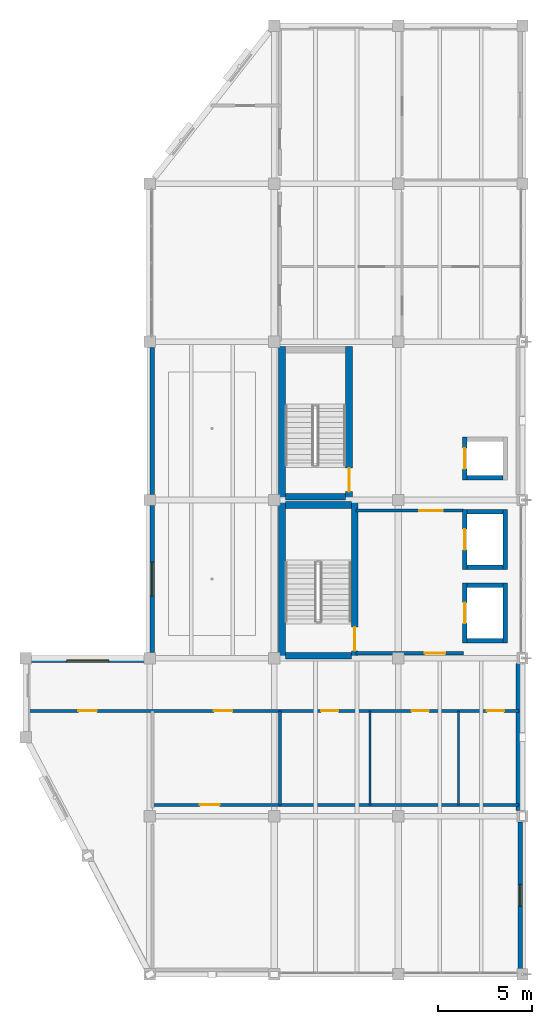
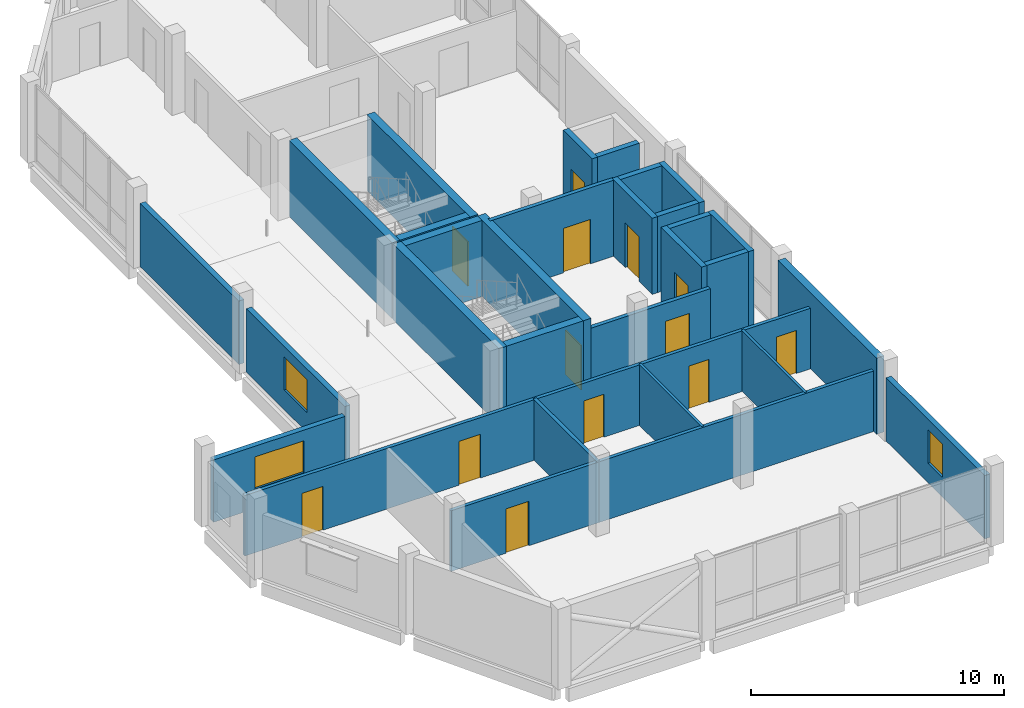
# One storey, part 6 of 12: 31 walls, 13 doors, 3 windows, 16 openings.
"""IFC4 building model written with IfcOpenShell, lengths in metres."""

from ifc_helpers import new_model, si_unit, direction, frame, frame_2d, origin, place, context, subcontext, project, spatial, rectangle, extrude, material, layer, layer_set, type_object, element, fill, save


model = new_model("IFC4")

# Units and contexts
model_context = context("Model", 3, precision=1e-05, world=origin(), true_north=direction((0.0, 1.0)))
body_context = subcontext(model_context, "Body", "Model", "MODEL_VIEW")
ifc_project = project(units=[si_unit("LENGTHUNIT", "METRE"), si_unit("AREAUNIT", "SQUARE_METRE"), si_unit("VOLUMEUNIT", "CUBIC_METRE"), si_unit("PLANEANGLEUNIT", "RADIAN"), si_unit("MASSUNIT", "GRAM", prefix="KILO")], contexts=[model_context])

# Site, building, storey
site_placement = place(None, origin())
site = spatial("IfcSite", under=ifc_project, at=site_placement, CompositionType="ELEMENT")
building_placement = place(site_placement, origin())
building = spatial("IfcBuilding", under=site, at=building_placement, Name="Qaldarim Faculty of Natural and Applied Sciences", CompositionType="ELEMENT")
storey_placement = place(building_placement, frame((0.0, 0.0, 35.39990234375)))
storey = spatial("IfcBuildingStorey", under=building, at=storey_placement, Name="L08", CompositionType="ELEMENT", Elevation=35.39990234375)

# Walls
ifc_material_1 = material(Name="Painted gypsum partition board")
ifc_layer_1 = layer(ifc_material_1, 0.1201171875)
ifc_layer_set_1 = layer_set([ifc_layer_1], Name="Painted gypsum partition board")
wall_type_1 = type_object("IfcWallType", Name="AcousticPartition-120", PredefinedType="PARTITIONING", material=ifc_layer_set_1)
for number, where, z_axis, x_axis, name in (
    (1, (170.10009765625, 9.0, 0.0), (0.0, 0.0, 1.0), (0.0, 1.0, 0.0), "Interior partition PRT-L08-V5-WCD1"),
    (2, (174.800048828125, 9.0, 0.0), (0.0, 0.0, 1.0), (0.0, 1.0, 0.0), "Interior partition PRT-L08-V5-WCD2"),
):
    element("IfcWall", number, at=place(storey_placement, frame(where, z_axis=z_axis, x_axis=x_axis)), inside=storey, type_object=wall_type_1, Name=name, PredefinedType="PARTITIONING", context=body_context, shape_type="SweptSolid", body=[
        extrude(rectangle(XDim=5.0, YDim=0.1201171875, at=frame_2d((2.5, 0.0))), origin(), (0.0, 0.0, 1.0), 2.93017578125),
    ])
ifc_material_2 = material(Name="Concrete C50/60", Category="concrete")
ifc_layer_2 = layer(ifc_material_2, 0.360107421875)
ifc_layer_set_2 = layer_set([ifc_layer_2], Name="Concrete C50/60")
wall_type_2 = type_object("IfcWallType", Name="CoreShearWall-360", PredefinedType="SHEAR", material=ifc_layer_set_2)
wall_1_placement = place(storey_placement, frame((165.419921875, 16.739990234375, 0.0), z_axis=(0.0, 0.0, 1.0), x_axis=(0.0, 1.0, 0.0)))
element("IfcWall", 3, at=wall_1_placement, inside=storey, type_object=wall_type_2, Name="Core stair ST-A1 west shear wall L08", PredefinedType="SHEAR", context=body_context, shape_type="SweptSolid", body=[
    extrude(rectangle(XDim=8.3701171875, YDim=0.360107421875, at=frame_2d((4.18505859375, 0.0))), origin(), (0.0, 0.0, 1.0), 3.68017578125),
])

# Wall, opening, door
wall_2_placement = place(storey_placement, frame((169.280029296875, 16.739990234375, 0.0), z_axis=(0.0, 0.0, 1.0), x_axis=(0.0, 1.0, 0.0)))
wall_2 = element("IfcWall", 4, at=wall_2_placement, inside=storey, type_object=wall_type_2, Name="Core stair ST-A1 east shear wall L08", PredefinedType="SHEAR", context=body_context, shape_type="SweptSolid", body=[
    extrude(rectangle(XDim=8.3701171875, YDim=0.360107421875, at=frame_2d((4.18505859375, 0.0))), origin(), (0.0, 0.0, 1.0), 3.68017578125),
])
opening_1_placement = place(wall_2_placement, frame((0.449951171875, 0.0, 0.0)))
opening_1 = element("IfcOpeningElement", 5, at=opening_1_placement, cuts=wall_2, Name="Opening ID04", PredefinedType="OPENING", context=body_context, shape_type="SweptSolid", body=[
    extrude(rectangle(XDim=1.25, YDim=2.14990234375, at=frame_2d((0.625, 1.074951171875))), frame((0.0, 0.18994140625, 0.0), z_axis=(0.0, -1.0, 0.0), x_axis=(1.0, 0.0, 0.0)), (0.0, 0.0, 1.0), 0.380126953125),
])
ifc_material_3 = material(Name="Architectural stainless steel 316", Category="steel")
door_type_1 = type_object("IfcDoorType", Name="StairEnclosureFireDoor-1250x2150", OperationType="NOTDEFINED", PredefinedType="DOOR", material=ifc_material_3)
door_1_placement = place(opening_1_placement, origin())
door_1 = element("IfcDoor", 6, at=door_1_placement, inside=storey, type_object=door_type_1, Name="Protected stair ST-A1 fire door D-L08-510", OperationType="SINGLE_SWING_RIGHT", OverallHeight=2.14990234375, OverallWidth=1.25, PredefinedType="DOOR", context=body_context, shape_type="SweptSolid", body=[
    extrude(rectangle(XDim=1.25, YDim=2.14990234375, at=frame_2d((0.625, 1.074951171875))), frame((0.0, 0.02490234375, 0.0), z_axis=(0.0, -1.0, 0.0), x_axis=(1.0, 0.0, 0.0)), (0.0, 0.0, 1.0), 0.050048828125),
])
fill(opening_1, door_1)

# Walls
for number, where, z_axis, x_axis, name in (
    (7, (165.60009765625, 24.929931640625, 0.0), (0.0, 0.0, 1.0), (1.0, 0.0, 0.0), "Core stair ST-A1 north shear wall L08"),
    (8, (165.60009765625, 16.919921875, 0.0), (0.0, 0.0, 1.0), (1.0, 0.0, 0.0), "Core stair ST-A1 south shear wall L08"),
):
    element("IfcWall", number, at=place(storey_placement, frame(where, z_axis=z_axis, x_axis=x_axis)), inside=storey, type_object=wall_type_2, Name=name, PredefinedType="SHEAR", context=body_context, shape_type="SweptSolid", body=[
        extrude(rectangle(XDim=3.5, YDim=0.360107421875, at=frame_2d((1.75, 0.0))), origin(), (0.0, 0.0, 1.0), 3.68017578125),
    ])
wall_3_placement = place(storey_placement, frame((165.419921875, 25.18994140625, 0.0), z_axis=(0.0, 0.0, 1.0), x_axis=(0.0, 1.0, 0.0)))
element("IfcWall", 9, at=wall_3_placement, inside=storey, type_object=wall_type_2, Name="Core stair ST-A2 west shear wall L08", PredefinedType="SHEAR", context=body_context, shape_type="SweptSolid", body=[
    extrude(rectangle(XDim=8.170166015625, YDim=0.360107421875, at=frame_2d((4.0849609375, 0.0))), origin(), (0.0, 0.0, 1.0), 3.68017578125),
])

# Wall, opening, door
wall_4_placement = place(storey_placement, frame((168.97998046875, 25.18994140625, 0.0), z_axis=(0.0, 0.0, 1.0), x_axis=(0.0, 1.0, 0.0)))
wall_4 = element("IfcWall", 10, at=wall_4_placement, inside=storey, type_object=wall_type_2, Name="Core stair ST-A2 east shear wall L08", PredefinedType="SHEAR", context=body_context, shape_type="SweptSolid", body=[
    extrude(rectangle(XDim=8.170166015625, YDim=0.360107421875, at=frame_2d((4.0849609375, 0.0))), origin(), (0.0, 0.0, 1.0), 3.68017578125),
])
opening_2_placement = place(wall_4_placement, frame((0.449951171875, 0.0, 0.0)))
opening_2 = element("IfcOpeningElement", 11, at=opening_2_placement, cuts=wall_4, Name="Opening ID04", PredefinedType="OPENING", context=body_context, shape_type="SweptSolid", body=[
    extrude(rectangle(XDim=1.25, YDim=2.14990234375, at=frame_2d((0.625, 1.074951171875))), frame((0.0, 0.18994140625, 0.0), z_axis=(0.0, -1.0, 0.0), x_axis=(1.0, 0.0, 0.0)), (0.0, 0.0, 1.0), 0.380126953125),
])
door_2_placement = place(opening_2_placement, origin())
door_2 = element("IfcDoor", 12, at=door_2_placement, inside=storey, type_object=door_type_1, Name="Protected stair ST-A2 fire door D-L08-522", OperationType="SINGLE_SWING_RIGHT", OverallHeight=2.14990234375, OverallWidth=1.25, PredefinedType="DOOR", context=body_context, shape_type="SweptSolid", body=[
    extrude(rectangle(XDim=1.25, YDim=2.14990234375, at=frame_2d((0.625, 1.074951171875))), frame((0.0, 0.02490234375, 0.0), z_axis=(0.0, -1.0, 0.0), x_axis=(1.0, 0.0, 0.0)), (0.0, 0.0, 1.0), 0.050048828125),
])
fill(opening_2, door_2)

# Wall
wall_5_placement = place(storey_placement, frame((165.60009765625, 25.3701171875, 0.0), z_axis=(0.0, 0.0, 1.0), x_axis=(1.0, 0.0, 0.0)))
element("IfcWall", 13, at=wall_5_placement, inside=storey, type_object=wall_type_2, Name="Core stair ST-A2 south shear wall L08", PredefinedType="SHEAR", context=body_context, shape_type="SweptSolid", body=[
    extrude(rectangle(XDim=3.199951171875, YDim=0.360107421875, at=frame_2d((1.60009765625, 0.0))), origin(), (0.0, 0.0, 1.0), 3.68017578125),
])

# Wall, opening, window
ifc_material_4 = material(Name="Precast concrete C40/50", Category="concrete")
ifc_layer_3 = layer(ifc_material_4, 0.239990234375)
ifc_layer_set_3 = layer_set([ifc_layer_3], Name="Precast concrete C40/50")
wall_type_3 = type_object("IfcWallType", Name="ExteriorInsulatedWall-240", PredefinedType="SOLIDWALL", material=ifc_layer_set_3)
wall_6_placement = place(storey_placement, frame((158.10498046875, 16.679931640625, 0.0), z_axis=(0.0, 0.0, 1.0), x_axis=(-1.0, 0.0, 0.0)))
wall_6 = element("IfcWall", 14, at=wall_6_placement, inside=storey, type_object=wall_type_3, Name="Exterior wall EW03 L08 N X24Y02", PredefinedType="SOLIDWALL", context=body_context, shape_type="SweptSolid", body=[
    extrude(rectangle(XDim=6.010009765625, YDim=0.239990234375, at=frame_2d((3.0048828125, 0.0))), origin(), (0.0, 0.0, 1.0), 3.01513671875),
])
opening_3_placement = place(wall_6_placement, frame((1.8798828125, 0.0, 0.949951171875)))
opening_3 = element("IfcOpeningElement", 15, at=opening_3_placement, cuts=wall_6, Name="Opening WN12", PredefinedType="OPENING", context=body_context, shape_type="SweptSolid", body=[
    extrude(rectangle(XDim=2.25, YDim=1.550048828125, at=frame_2d((1.125, 0.77490234375))), frame((0.0, 0.1298828125, 0.0), z_axis=(0.0, -1.0, 0.0), x_axis=(1.0, 0.0, 0.0)), (0.0, 0.0, 1.0), 0.260009765625),
])
ifc_material_5 = material(Name="Insulated low-e double glazing", Category="glass")
window_type_1 = type_object("IfcWindowType", Name="LabWindow-2250x1550", PartitioningType="TRIPLE_PANEL_VERTICAL", PredefinedType="WINDOW", material=ifc_material_5)
window_1_placement = place(opening_3_placement, origin())
window_1 = element("IfcWindow", 16, at=window_1_placement, inside=storey, type_object=window_type_1, Name="Facade window WN12 L08 N X24Y02", OverallHeight=1.550048828125, OverallWidth=2.25, PartitioningType="SINGLE_PANEL", PredefinedType="WINDOW", context=body_context, shape_type="SweptSolid", body=[
    extrude(rectangle(XDim=2.25, YDim=1.550048828125, at=frame_2d((1.125, 0.77490234375))), frame((0.0, 0.030029296875, 0.0), z_axis=(0.0, -1.0, 0.0), x_axis=(1.0, 0.0, 0.0)), (0.0, 0.0, 1.0), 0.06005859375),
])
fill(opening_3, window_1)

wall_7_placement = place(storey_placement, frame((158.52001953125, 24.905029296875, 0.0), z_axis=(0.0, 0.0, 1.0), x_axis=(0.0, -1.0, 0.0)))
wall_7 = element("IfcWall", 17, at=wall_7_placement, inside=storey, type_object=wall_type_3, Name="Exterior wall EW03 L08 W X25Y03", PredefinedType="SOLIDWALL", context=body_context, shape_type="SweptSolid", body=[
    extrude(rectangle(XDim=7.81005859375, YDim=0.239990234375, at=frame_2d((3.905029296875, 0.0))), origin(), (0.0, 0.0, 1.0), 3.065185546875),
])
opening_4_placement = place(wall_7_placement, frame((3.0048828125, 0.0, 0.949951171875)))
opening_4 = element("IfcOpeningElement", 18, at=opening_4_placement, cuts=wall_7, Name="Opening WN02", PredefinedType="OPENING", context=body_context, shape_type="SweptSolid", body=[
    extrude(rectangle(XDim=1.800048828125, YDim=1.60009765625, at=frame_2d((0.89990234375, 0.800048828125))), frame((0.0, 0.1298828125, 0.0), z_axis=(0.0, -1.0, 0.0), x_axis=(1.0, 0.0, 0.0)), (0.0, 0.0, 1.0), 0.260009765625),
])
window_type_2 = type_object("IfcWindowType", Name="Window-1800x1600", PartitioningType="DOUBLE_PANEL_VERTICAL", PredefinedType="WINDOW", material=ifc_material_5)
window_2_placement = place(opening_4_placement, origin())
window_2 = element("IfcWindow", 19, at=window_2_placement, inside=storey, type_object=window_type_2, Name="Facade window WN02 L08 W X25Y03", OverallHeight=1.60009765625, OverallWidth=1.800048828125, PartitioningType="SINGLE_PANEL", PredefinedType="WINDOW", context=body_context, shape_type="SweptSolid", body=[
    extrude(rectangle(XDim=1.800048828125, YDim=1.60009765625, at=frame_2d((0.89990234375, 0.800048828125))), frame((0.0, 0.030029296875, 0.0), z_axis=(0.0, -1.0, 0.0), x_axis=(1.0, 0.0, 0.0)), (0.0, 0.0, 1.0), 0.06005859375),
])
fill(opening_4, window_2)

# Wall
wall_8_placement = place(storey_placement, frame((158.52001953125, 33.304931640625, 0.0), z_axis=(0.0, 0.0, 1.0), x_axis=(0.0, -1.0, 0.0)))
element("IfcWall", 20, at=wall_8_placement, inside=storey, type_object=wall_type_3, Name="Exterior wall EW03 L08 W X25Y04", PredefinedType="SOLIDWALL", context=body_context, shape_type="SweptSolid", body=[
    extrude(rectangle(XDim=7.809814453125, YDim=0.239990234375, at=frame_2d((3.90478515625, 0.0))), origin(), (0.0, 0.0, 1.0), 3.065185546875),
])

# Wall, opening, window
wall_9_placement = place(storey_placement, frame((178.080078125, 0.294921875, 0.0), z_axis=(0.0, 0.0, 1.0), x_axis=(0.0, 1.0, 0.0)))
wall_9 = element("IfcWall", 21, at=wall_9_placement, inside=storey, type_object=wall_type_3, Name="Exterior wall EW03 L08 E X27Y01", PredefinedType="SOLIDWALL", context=body_context, shape_type="SweptSolid", body=[
    extrude(rectangle(XDim=7.81005859375, YDim=0.239990234375, at=frame_2d((3.905029296875, 0.0))), origin(), (0.0, 0.0, 1.0), 3.065185546875),
])
opening_5_placement = place(wall_9_placement, frame((3.330078125, 0.0, 0.949951171875)))
opening_5 = element("IfcOpeningElement", 22, at=opening_5_placement, cuts=wall_9, Name="Opening WN31", PredefinedType="OPENING", context=body_context, shape_type="SweptSolid", body=[
    extrude(rectangle(XDim=1.14990234375, YDim=1.60009765625, at=frame_2d((0.574951171875, 0.800048828125))), frame((0.0, 0.1298828125, 0.0), z_axis=(0.0, -1.0, 0.0), x_axis=(1.0, 0.0, 0.0)), (0.0, 0.0, 1.0), 0.260009765625),
])
window_type_3 = type_object("IfcWindowType", Name="SeminarWindow-1150x1600", PartitioningType="SINGLE_PANEL", PredefinedType="WINDOW", material=ifc_material_5)
window_3_placement = place(opening_5_placement, origin())
window_3 = element("IfcWindow", 23, at=window_3_placement, inside=storey, type_object=window_type_3, Name="Facade window WN31 L08 E X27Y01", OverallHeight=1.60009765625, OverallWidth=1.14990234375, PartitioningType="SINGLE_PANEL", PredefinedType="WINDOW", context=body_context, shape_type="SweptSolid", body=[
    extrude(rectangle(XDim=1.14990234375, YDim=1.60009765625, at=frame_2d((0.574951171875, 0.800048828125))), frame((0.0, 0.030029296875, 0.0), z_axis=(0.0, -1.0, 0.0), x_axis=(1.0, 0.0, 0.0)), (0.0, 0.0, 1.0), 0.06005859375),
])
fill(opening_5, window_3)

# Wall
ifc_layer_4 = layer(ifc_material_2, 0.340087890625)
ifc_layer_set_4 = layer_set([ifc_layer_4], Name="Concrete C50/60")
wall_type_4 = type_object("IfcWallType", Name="ExteriorStairShearWall-340", PredefinedType="SHEAR", material=ifc_layer_set_4)
wall_10_placement = place(storey_placement, frame((178.030029296875, 8.695068359375, 0.0), z_axis=(0.0, 0.0, 1.0), x_axis=(0.0, 1.0, 0.0)))
element("IfcWall", 24, at=wall_10_placement, inside=storey, type_object=wall_type_4, Name="Exterior wall EW05 L08 E X27Y02", PredefinedType="SHEAR", context=body_context, shape_type="SweptSolid", body=[
    extrude(rectangle(XDim=7.809814453125, YDim=0.340087890625, at=frame_2d((3.90478515625, 0.0))), origin(), (0.0, 0.0, 1.0), 3.68017578125),
])

# Wall, openings, doors
ifc_material_6 = material(Name="Concrete C40/50", Category="concrete")
ifc_layer_5 = layer(ifc_material_6, 0.159912109375)
ifc_layer_set_5 = layer_set([ifc_layer_5], Name="Concrete C40/50")
wall_type_5 = type_object("IfcWallType", Name="FireCorridorWall-160", PredefinedType="PARTITIONING", material=ifc_layer_set_5)
wall_11_placement = place(storey_placement, frame((165.300048828125, 14.0, 0.0), z_axis=(0.0, 0.0, 1.0), x_axis=(1.0, 0.0, 0.0)))
wall_11 = element("IfcWall", 25, at=wall_11_placement, inside=storey, type_object=wall_type_5, Name="Interior partition PRT-L08-V5-WCN", PredefinedType="PARTITIONING", context=body_context, shape_type="SweptSolid", body=[
    extrude(rectangle(XDim=12.699951171875, YDim=0.159912109375, at=frame_2d((6.35009765625, 0.0))), origin(), (0.0, 0.0, 1.0), 2.93017578125),
])
opening_6_placement = place(wall_11_placement, frame((2.199951171875, 0.0, 0.0)))
opening_6 = element("IfcOpeningElement", 26, at=opening_6_placement, cuts=wall_11, Name="Opening ID14", PredefinedType="OPENING", context=body_context, shape_type="SweptSolid", body=[
    extrude(rectangle(XDim=0.919921875, YDim=2.080078125, at=frame_2d((0.4599609375, 1.0400390625))), frame((0.0, 0.08984375, 0.0), z_axis=(0.0, -1.0, 0.0), x_axis=(1.0, 0.0, 0.0)), (0.0, 0.0, 1.0), 0.179931640625),
])
opening_7_placement = place(wall_11_placement, frame((7.0, 0.0, 0.0)))
opening_7 = element("IfcOpeningElement", 27, at=opening_7_placement, cuts=wall_11, Name="Opening ID14", PredefinedType="OPENING", context=body_context, shape_type="SweptSolid", body=[
    extrude(rectangle(XDim=0.919921875, YDim=2.080078125, at=frame_2d((0.4599609375, 1.0400390625))), frame((0.0, 0.08984375, 0.0), z_axis=(0.0, -1.0, 0.0), x_axis=(1.0, 0.0, 0.0)), (0.0, 0.0, 1.0), 0.179931640625),
])
opening_8_placement = place(wall_11_placement, frame((11.0, 0.0, 0.0)))
opening_8 = element("IfcOpeningElement", 28, at=opening_8_placement, cuts=wall_11, Name="Opening ID14", PredefinedType="OPENING", context=body_context, shape_type="SweptSolid", body=[
    extrude(rectangle(XDim=0.919921875, YDim=2.080078125, at=frame_2d((0.4599609375, 1.0400390625))), frame((0.0, 0.08984375, 0.0), z_axis=(0.0, -1.0, 0.0), x_axis=(1.0, 0.0, 0.0)), (0.0, 0.0, 1.0), 0.179931640625),
])
ifc_material_7 = material(Name="Oak hardwood", Category="wood")
door_type_2 = type_object("IfcDoorType", Name="WashroomDoor-920x2080", OperationType="NOTDEFINED", PredefinedType="DOOR", material=ifc_material_7)
door_3_placement = place(opening_6_placement, origin())
door_3 = element("IfcDoor", 29, at=door_3_placement, inside=storey, type_object=door_type_2, Name="Interior door D-L08-128", OperationType="SINGLE_SWING_LEFT", OverallHeight=2.080078125, OverallWidth=0.919921875, PredefinedType="DOOR", context=body_context, shape_type="SweptSolid", body=[
    extrude(rectangle(XDim=0.919921875, YDim=2.080078125, at=frame_2d((0.4599609375, 1.0400390625))), frame((0.0, 0.02490234375, 0.0), z_axis=(0.0, -1.0, 0.0), x_axis=(1.0, 0.0, 0.0)), (0.0, 0.0, 1.0), 0.050048828125),
])
fill(opening_6, door_3)
door_4_placement = place(opening_7_placement, origin())
door_4 = element("IfcDoor", 30, at=door_4_placement, inside=storey, type_object=door_type_2, Name="Interior door D-L08-129", OperationType="SINGLE_SWING_RIGHT", OverallHeight=2.080078125, OverallWidth=0.919921875, PredefinedType="DOOR", context=body_context, shape_type="SweptSolid", body=[
    extrude(rectangle(XDim=0.919921875, YDim=2.080078125, at=frame_2d((0.4599609375, 1.0400390625))), frame((0.0, 0.02490234375, 0.0), z_axis=(0.0, -1.0, 0.0), x_axis=(1.0, 0.0, 0.0)), (0.0, 0.0, 1.0), 0.050048828125),
])
fill(opening_7, door_4)
door_5_placement = place(opening_8_placement, origin())
door_5 = element("IfcDoor", 31, at=door_5_placement, inside=storey, type_object=door_type_2, Name="Interior door D-L08-130", OperationType="SINGLE_SWING_LEFT", OverallHeight=2.080078125, OverallWidth=0.919921875, PredefinedType="DOOR", context=body_context, shape_type="SweptSolid", body=[
    extrude(rectangle(XDim=0.919921875, YDim=2.080078125, at=frame_2d((0.4599609375, 1.0400390625))), frame((0.0, 0.02490234375, 0.0), z_axis=(0.0, -1.0, 0.0), x_axis=(1.0, 0.0, 0.0)), (0.0, 0.0, 1.0), 0.050048828125),
])
fill(opening_8, door_5)

# Walls
wall_12_placement = place(storey_placement, frame((165.300048828125, 9.0, 0.0), z_axis=(0.0, 0.0, 1.0), x_axis=(1.0, 0.0, 0.0)))
element("IfcWall", 32, at=wall_12_placement, inside=storey, type_object=wall_type_5, Name="Interior partition PRT-L08-V5-WCS", PredefinedType="PARTITIONING", context=body_context, shape_type="SweptSolid", body=[
    extrude(rectangle(XDim=12.699951171875, YDim=0.159912109375, at=frame_2d((6.35009765625, 0.0))), origin(), (0.0, 0.0, 1.0), 2.93017578125),
])
wall_13_placement = place(storey_placement, frame((165.300048828125, 9.0, 0.0), z_axis=(0.0, 0.0, 1.0), x_axis=(0.0, 1.0, 0.0)))
element("IfcWall", 33, at=wall_13_placement, inside=storey, type_object=wall_type_5, Name="Interior partition PRT-L08-V5-WCW", PredefinedType="PARTITIONING", context=body_context, shape_type="SweptSolid", body=[
    extrude(rectangle(XDim=5.0, YDim=0.159912109375, at=frame_2d((2.5, 0.0))), origin(), (0.0, 0.0, 1.0), 2.93017578125),
])

# Wall, opening, door
wall_14_placement = place(storey_placement, frame((158.550048828125, 9.0, 0.0), z_axis=(0.0, 0.0, 1.0), x_axis=(1.0, 0.0, 0.0)))
wall_14 = element("IfcWall", 34, at=wall_14_placement, inside=storey, type_object=wall_type_5, Name="Interior partition PRT-L08-U-SW", PredefinedType="PARTITIONING", context=body_context, shape_type="SweptSolid", body=[
    extrude(rectangle(XDim=6.75, YDim=0.159912109375, at=frame_2d((3.375, 0.0))), origin(), (0.0, 0.0, 1.0), 2.93017578125),
])
opening_9_placement = place(wall_14_placement, frame((2.5, 0.0, 0.0)))
opening_9 = element("IfcOpeningElement", 35, at=opening_9_placement, cuts=wall_14, Name="Opening ID02", PredefinedType="OPENING", context=body_context, shape_type="SweptSolid", body=[
    extrude(rectangle(XDim=1.050048828125, YDim=2.14990234375, at=frame_2d((0.52490234375, 1.074951171875))), frame((0.0, 0.08984375, 0.0), z_axis=(0.0, -1.0, 0.0), x_axis=(1.0, 0.0, 0.0)), (0.0, 0.0, 1.0), 0.179931640625),
])
door_type_3 = type_object("IfcDoorType", Name="AccessibleRoomDoor-1050x2150", OperationType="NOTDEFINED", PredefinedType="DOOR", material=ifc_material_7)
door_6_placement = place(opening_9_placement, origin())
door_6 = element("IfcDoor", 36, at=door_6_placement, inside=storey, type_object=door_type_3, Name="Interior door D-L08-275", OperationType="SINGLE_SWING_LEFT", OverallHeight=2.14990234375, OverallWidth=1.050048828125, PredefinedType="DOOR", context=body_context, shape_type="SweptSolid", body=[
    extrude(rectangle(XDim=1.050048828125, YDim=2.14990234375, at=frame_2d((0.52490234375, 1.074951171875))), frame((0.0, 0.02490234375, 0.0), z_axis=(0.0, -1.0, 0.0), x_axis=(1.0, 0.0, 0.0)), (0.0, 0.0, 1.0), 0.050048828125),
])
fill(opening_9, door_6)

# Wall, openings, doors
wall_15_placement = place(storey_placement, frame((152.0, 14.0, 0.0), z_axis=(0.0, 0.0, 1.0), x_axis=(1.0, 0.0, 0.0)))
wall_15 = element("IfcWall", 37, at=wall_15_placement, inside=storey, type_object=wall_type_5, Name="Interior partition PRT-L08-V5-MIDN", PredefinedType="PARTITIONING", context=body_context, shape_type="SweptSolid", body=[
    extrude(rectangle(XDim=13.300048828125, YDim=0.159912109375, at=frame_2d((6.64990234375, 0.0))), origin(), (0.0, 0.0, 1.0), 2.93017578125),
])
opening_10_placement = place(wall_15_placement, frame((2.60009765625, 0.0, 0.0)))
opening_10 = element("IfcOpeningElement", 38, at=opening_10_placement, cuts=wall_15, Name="Opening ID15", PredefinedType="OPENING", context=body_context, shape_type="SweptSolid", body=[
    extrude(rectangle(XDim=0.97998046875, YDim=2.1201171875, at=frame_2d((0.489990234375, 1.06005859375))), frame((0.0, 0.08984375, 0.0), z_axis=(0.0, -1.0, 0.0), x_axis=(1.0, 0.0, 0.0)), (0.0, 0.0, 1.0), 0.179931640625),
])
opening_11_placement = place(wall_15_placement, frame((9.800048828125, 0.0, 0.0)))
opening_11 = element("IfcOpeningElement", 39, at=opening_11_placement, cuts=wall_15, Name="Opening ID15", PredefinedType="OPENING", context=body_context, shape_type="SweptSolid", body=[
    extrude(rectangle(XDim=0.97998046875, YDim=2.1201171875, at=frame_2d((0.489990234375, 1.06005859375))), frame((0.0, 0.08984375, 0.0), z_axis=(0.0, -1.0, 0.0), x_axis=(1.0, 0.0, 0.0)), (0.0, 0.0, 1.0), 0.179931640625),
])
door_type_4 = type_object("IfcDoorType", Name="PrepRoomDoor-980x2120", OperationType="NOTDEFINED", PredefinedType="DOOR", material=ifc_material_7)
door_7_placement = place(opening_10_placement, origin())
door_7 = element("IfcDoor", 40, at=door_7_placement, inside=storey, type_object=door_type_4, Name="Interior door D-L08-421", OperationType="SINGLE_SWING_LEFT", OverallHeight=2.1201171875, OverallWidth=0.97998046875, PredefinedType="DOOR", context=body_context, shape_type="SweptSolid", body=[
    extrude(rectangle(XDim=0.97998046875, YDim=2.1201171875, at=frame_2d((0.489990234375, 1.06005859375))), frame((0.0, 0.02490234375, 0.0), z_axis=(0.0, -1.0, 0.0), x_axis=(1.0, 0.0, 0.0)), (0.0, 0.0, 1.0), 0.050048828125),
])
fill(opening_10, door_7)
door_8_placement = place(opening_11_placement, origin())
door_8 = element("IfcDoor", 41, at=door_8_placement, inside=storey, type_object=door_type_4, Name="Interior door D-L08-422", OperationType="SINGLE_SWING_RIGHT", OverallHeight=2.1201171875, OverallWidth=0.97998046875, PredefinedType="DOOR", context=body_context, shape_type="SweptSolid", body=[
    extrude(rectangle(XDim=0.97998046875, YDim=2.1201171875, at=frame_2d((0.489990234375, 1.06005859375))), frame((0.0, 0.02490234375, 0.0), z_axis=(0.0, -1.0, 0.0), x_axis=(1.0, 0.0, 0.0)), (0.0, 0.0, 1.0), 0.050048828125),
])
fill(opening_11, door_8)

# Wall, opening, door
ifc_layer_6 = layer(ifc_material_6, 0.179931640625)
ifc_layer_set_6 = layer_set([ifc_layer_6], Name="Concrete C40/50")
wall_type_6 = type_object("IfcWallType", Name="LabFireCompartmentWall-180", PredefinedType="SOLIDWALL", material=ifc_layer_set_6)
wall_16_placement = place(storey_placement, frame((169.35009765625, 24.639892578125, 0.0), z_axis=(0.0, 0.0, 1.0), x_axis=(1.0, 0.0, 0.0)))
wall_16 = element("IfcWall", 42, at=wall_16_placement, inside=storey, type_object=wall_type_6, Name="Fire-fighting lobby compartment wall Core A L08", PredefinedType="SOLIDWALL", context=body_context, shape_type="SweptSolid", body=[
    extrude(rectangle(XDim=5.699951171875, YDim=0.179931640625, at=frame_2d((2.85009765625, 0.0))), origin(), (0.0, 0.0, 1.0), 3.68017578125),
])
opening_12_placement = place(wall_16_placement, frame((3.35009765625, 0.0, 0.0)))
opening_12 = element("IfcOpeningElement", 43, at=opening_12_placement, cuts=wall_16, Name="Opening ID04", PredefinedType="OPENING", context=body_context, shape_type="SweptSolid", body=[
    extrude(rectangle(XDim=1.25, YDim=2.14990234375, at=frame_2d((0.625, 1.074951171875))), frame((0.0, 0.099853515625, 0.0), z_axis=(0.0, -1.0, 0.0), x_axis=(1.0, 0.0, 0.0)), (0.0, 0.0, 1.0), 0.199951171875),
])
door_9_placement = place(opening_12_placement, frame((1.25, 0.0, 0.0), z_axis=(0.0, 0.0, 1.0), x_axis=(-1.0, 0.0, 0.0)))
door_9 = element("IfcDoor", 44, at=door_9_placement, inside=storey, type_object=door_type_1, Name="Fire-fighting lobby door Core A D-L08-614", OperationType="SINGLE_SWING_RIGHT", OverallHeight=2.14990234375, OverallWidth=1.25, PredefinedType="DOOR", context=body_context, shape_type="SweptSolid", body=[
    extrude(rectangle(XDim=1.25, YDim=2.14990234375, at=frame_2d((0.625, 1.074951171875))), frame((0.0, 0.02490234375, 0.0), z_axis=(0.0, -1.0, 0.0), x_axis=(1.0, 0.0, 0.0)), (0.0, 0.0, 1.0), 0.050048828125),
])
fill(opening_12, door_9)

wall_17_placement = place(storey_placement, frame((169.35009765625, 17.06005859375, 0.0), z_axis=(0.0, 0.0, 1.0), x_axis=(1.0, 0.0, 0.0)))
wall_17 = element("IfcWall", 45, at=wall_17_placement, inside=storey, type_object=wall_type_6, Name="Fire-fighting lobby south wall Core A L08", PredefinedType="SOLIDWALL", context=body_context, shape_type="SweptSolid", body=[
    extrude(rectangle(XDim=5.699951171875, YDim=0.179931640625, at=frame_2d((2.85009765625, 0.0))), origin(), (0.0, 0.0, 1.0), 3.01513671875),
])
opening_13_placement = place(wall_17_placement, frame((3.64990234375, 0.0, 0.0)))
opening_13 = element("IfcOpeningElement", 46, at=opening_13_placement, cuts=wall_17, Name="Opening ID03", PredefinedType="OPENING", context=body_context, shape_type="SweptSolid", body=[
    extrude(rectangle(XDim=1.10009765625, YDim=2.14990234375, at=frame_2d((0.550048828125, 1.074951171875))), frame((0.0, 0.099853515625, 0.0), z_axis=(0.0, -1.0, 0.0), x_axis=(1.0, 0.0, 0.0)), (0.0, 0.0, 1.0), 0.199951171875),
])
door_type_5 = type_object("IfcDoorType", Name="FireLobbyDoor-1100x2150", OperationType="NOTDEFINED", PredefinedType="DOOR", material=ifc_material_7)
door_10_placement = place(opening_13_placement, origin())
door_10 = element("IfcDoor", 47, at=door_10_placement, inside=storey, type_object=door_type_5, Name="Fire-fighting lobby corridor door Core A D-L08-615", OperationType="SINGLE_SWING_LEFT", OverallHeight=2.14990234375, OverallWidth=1.10009765625, PredefinedType="DOOR", context=body_context, shape_type="SweptSolid", body=[
    extrude(rectangle(XDim=1.10009765625, YDim=2.14990234375, at=frame_2d((0.550048828125, 1.074951171875))), frame((0.0, 0.02490234375, 0.0), z_axis=(0.0, -1.0, 0.0), x_axis=(1.0, 0.0, 0.0)), (0.0, 0.0, 1.0), 0.050048828125),
])
fill(opening_13, door_10)

ifc_layer_7 = layer(ifc_material_6, 0.25)
ifc_layer_set_7 = layer_set([ifc_layer_7], Name="Concrete C40/50")
wall_type_7 = type_object("IfcWallType", Name="LiftShaftWall-250", PredefinedType="SHEAR", material=ifc_layer_set_7)
wall_18_placement = place(storey_placement, frame((175.125, 17.60009765625, 0.0), z_axis=(0.0, 0.0, 1.0), x_axis=(0.0, 1.0, 0.0)))
wall_18 = element("IfcWall", 48, at=wall_18_placement, inside=storey, type_object=wall_type_7, Name="Lift LF-A1 front shaft wall L08", PredefinedType="SHEAR", context=body_context, shape_type="SweptSolid", body=[
    extrude(rectangle(XDim=3.199951171875, YDim=0.25, at=frame_2d((1.60009765625, 0.0))), origin(), (0.0, 0.0, 1.0), 3.68017578125),
])
opening_14_placement = place(wall_18_placement, frame((1.050048828125, 0.0, 0.0)))
opening_14 = element("IfcOpeningElement", 49, at=opening_14_placement, cuts=wall_18, Name="Opening LD01", PredefinedType="OPENING", context=body_context, shape_type="SweptSolid", body=[
    extrude(rectangle(XDim=1.10009765625, YDim=2.14990234375, at=frame_2d((0.550048828125, 1.074951171875))), frame((0.0, 0.135009765625, 0.0), z_axis=(0.0, -1.0, 0.0), x_axis=(1.0, 0.0, 0.0)), (0.0, 0.0, 1.0), 0.27001953125),
])
door_type_6 = type_object("IfcDoorType", Name="LiftLandingSlidingDoor-1100x2150", OperationType="NOTDEFINED", PredefinedType="DOOR", material=ifc_material_3)
door_11_placement = place(opening_14_placement, origin())
door_11 = element("IfcDoor", 50, at=door_11_placement, inside=storey, type_object=door_type_6, Name="Lift landing sliding door LF-A1 D-L08-566", OperationType="SLIDING_TO_LEFT", OverallHeight=2.14990234375, OverallWidth=1.10009765625, PredefinedType="DOOR", context=body_context, shape_type="SweptSolid", body=[
    extrude(rectangle(XDim=1.10009765625, YDim=2.14990234375, at=frame_2d((0.550048828125, 1.074951171875))), frame((0.0, 0.02490234375, 0.0), z_axis=(0.0, -1.0, 0.0), x_axis=(1.0, 0.0, 0.0)), (0.0, 0.0, 1.0), 0.050048828125),
])
fill(opening_14, door_11)

# Walls
wall_19_placement = place(storey_placement, frame((177.27490234375, 17.60009765625, 0.0), z_axis=(0.0, 0.0, 1.0), x_axis=(0.0, 1.0, 0.0)))
element("IfcWall", 51, at=wall_19_placement, inside=storey, type_object=wall_type_7, Name="Lift LF-A1 rear shaft wall L08", PredefinedType="SHEAR", context=body_context, shape_type="SweptSolid", body=[
    extrude(rectangle(XDim=3.199951171875, YDim=0.25, at=frame_2d((1.60009765625, 0.0))), origin(), (0.0, 0.0, 1.0), 3.68017578125),
])
for number, where, z_axis, x_axis, name in (
    (52, (175.25, 17.72509765625, 0.0), (0.0, 0.0, 1.0), (1.0, 0.0, 0.0), "Lift LF-A1 south shaft wall L08"),
    (53, (175.25, 20.675048828125, 0.0), (0.0, 0.0, 1.0), (1.0, 0.0, 0.0), "Lift LF-A1 north shaft wall L08"),
):
    element("IfcWall", number, at=place(storey_placement, frame(where, z_axis=z_axis, x_axis=x_axis)), inside=storey, type_object=wall_type_7, Name=name, PredefinedType="SHEAR", context=body_context, shape_type="SweptSolid", body=[
        extrude(rectangle(XDim=1.89990234375, YDim=0.25, at=frame_2d((0.949951171875, 0.0))), origin(), (0.0, 0.0, 1.0), 3.68017578125),
    ])

# Wall, opening, door
wall_20_placement = place(storey_placement, frame((175.125, 21.5, 0.0), z_axis=(0.0, 0.0, 1.0), x_axis=(0.0, 1.0, 0.0)))
wall_20 = element("IfcWall", 54, at=wall_20_placement, inside=storey, type_object=wall_type_7, Name="Lift LF-A2 front shaft wall L08", PredefinedType="SHEAR", context=body_context, shape_type="SweptSolid", body=[
    extrude(rectangle(XDim=3.199951171875, YDim=0.25, at=frame_2d((1.60009765625, 0.0))), origin(), (0.0, 0.0, 1.0), 3.68017578125),
])
opening_15_placement = place(wall_20_placement, frame((1.050048828125, 0.0, 0.0)))
opening_15 = element("IfcOpeningElement", 55, at=opening_15_placement, cuts=wall_20, Name="Opening LD01", PredefinedType="OPENING", context=body_context, shape_type="SweptSolid", body=[
    extrude(rectangle(XDim=1.10009765625, YDim=2.14990234375, at=frame_2d((0.550048828125, 1.074951171875))), frame((0.0, 0.135009765625, 0.0), z_axis=(0.0, -1.0, 0.0), x_axis=(1.0, 0.0, 0.0)), (0.0, 0.0, 1.0), 0.27001953125),
])
door_12_placement = place(opening_15_placement, origin())
door_12 = element("IfcDoor", 56, at=door_12_placement, inside=storey, type_object=door_type_6, Name="Lift landing sliding door LF-A2 D-L08-579", OperationType="SLIDING_TO_LEFT", OverallHeight=2.14990234375, OverallWidth=1.10009765625, PredefinedType="DOOR", context=body_context, shape_type="SweptSolid", body=[
    extrude(rectangle(XDim=1.10009765625, YDim=2.14990234375, at=frame_2d((0.550048828125, 1.074951171875))), frame((0.0, 0.02490234375, 0.0), z_axis=(0.0, -1.0, 0.0), x_axis=(1.0, 0.0, 0.0)), (0.0, 0.0, 1.0), 0.050048828125),
])
fill(opening_15, door_12)

# Walls
wall_21_placement = place(storey_placement, frame((177.27490234375, 21.5, 0.0), z_axis=(0.0, 0.0, 1.0), x_axis=(0.0, 1.0, 0.0)))
element("IfcWall", 57, at=wall_21_placement, inside=storey, type_object=wall_type_7, Name="Lift LF-A2 rear shaft wall L08", PredefinedType="SHEAR", context=body_context, shape_type="SweptSolid", body=[
    extrude(rectangle(XDim=3.199951171875, YDim=0.25, at=frame_2d((1.60009765625, 0.0))), origin(), (0.0, 0.0, 1.0), 3.68017578125),
])
for number, where, z_axis, x_axis, name in (
    (58, (175.25, 21.625, 0.0), (0.0, 0.0, 1.0), (1.0, 0.0, 0.0), "Lift LF-A2 south shaft wall L08"),
    (59, (175.25, 24.574951171875, 0.0), (0.0, 0.0, 1.0), (1.0, 0.0, 0.0), "Lift LF-A2 north shaft wall L08"),
):
    element("IfcWall", number, at=place(storey_placement, frame(where, z_axis=z_axis, x_axis=x_axis)), inside=storey, type_object=wall_type_7, Name=name, PredefinedType="SHEAR", context=body_context, shape_type="SweptSolid", body=[
        extrude(rectangle(XDim=1.89990234375, YDim=0.25, at=frame_2d((0.949951171875, 0.0))), origin(), (0.0, 0.0, 1.0), 3.68017578125),
    ])

# Wall, opening, door
wall_22_placement = place(storey_placement, frame((175.125, 26.25, 0.0), z_axis=(0.0, 0.0, 1.0), x_axis=(0.0, 1.0, 0.0)))
wall_22 = element("IfcWall", 60, at=wall_22_placement, inside=storey, type_object=wall_type_7, Name="Lift LF-A3 front shaft wall L08", PredefinedType="SHEAR", context=body_context, shape_type="SweptSolid", body=[
    extrude(rectangle(XDim=2.300048828125, YDim=0.25, at=frame_2d((1.14990234375, 0.0))), origin(), (0.0, 0.0, 1.0), 3.68017578125),
])
opening_16_placement = place(wall_22_placement, frame((0.60009765625, 0.0, 0.0)))
opening_16 = element("IfcOpeningElement", 61, at=opening_16_placement, cuts=wall_22, Name="Opening LD01", PredefinedType="OPENING", context=body_context, shape_type="SweptSolid", body=[
    extrude(rectangle(XDim=1.10009765625, YDim=2.14990234375, at=frame_2d((0.550048828125, 1.074951171875))), frame((0.0, 0.135009765625, 0.0), z_axis=(0.0, -1.0, 0.0), x_axis=(1.0, 0.0, 0.0)), (0.0, 0.0, 1.0), 0.27001953125),
])
door_13_placement = place(opening_16_placement, origin())
door_13 = element("IfcDoor", 62, at=door_13_placement, inside=storey, type_object=door_type_6, Name="Lift landing sliding door LF-A3 D-L08-592", OperationType="SLIDING_TO_LEFT", OverallHeight=2.14990234375, OverallWidth=1.10009765625, PredefinedType="DOOR", context=body_context, shape_type="SweptSolid", body=[
    extrude(rectangle(XDim=1.10009765625, YDim=2.14990234375, at=frame_2d((0.550048828125, 1.074951171875))), frame((0.0, 0.02490234375, 0.0), z_axis=(0.0, -1.0, 0.0), x_axis=(1.0, 0.0, 0.0)), (0.0, 0.0, 1.0), 0.050048828125),
])
fill(opening_16, door_13)

# Wall
wall_23_placement = place(storey_placement, frame((175.25, 26.375, 0.0), z_axis=(0.0, 0.0, 1.0), x_axis=(1.0, 0.0, 0.0)))
element("IfcWall", 63, at=wall_23_placement, inside=storey, type_object=wall_type_7, Name="Lift LF-A3 south shaft wall L08", PredefinedType="SHEAR", context=body_context, shape_type="SweptSolid", body=[
    extrude(rectangle(XDim=1.89990234375, YDim=0.25, at=frame_2d((0.949951171875, 0.0))), origin(), (0.0, 0.0, 1.0), 3.68017578125),
])

save(model, "model.ifc")
